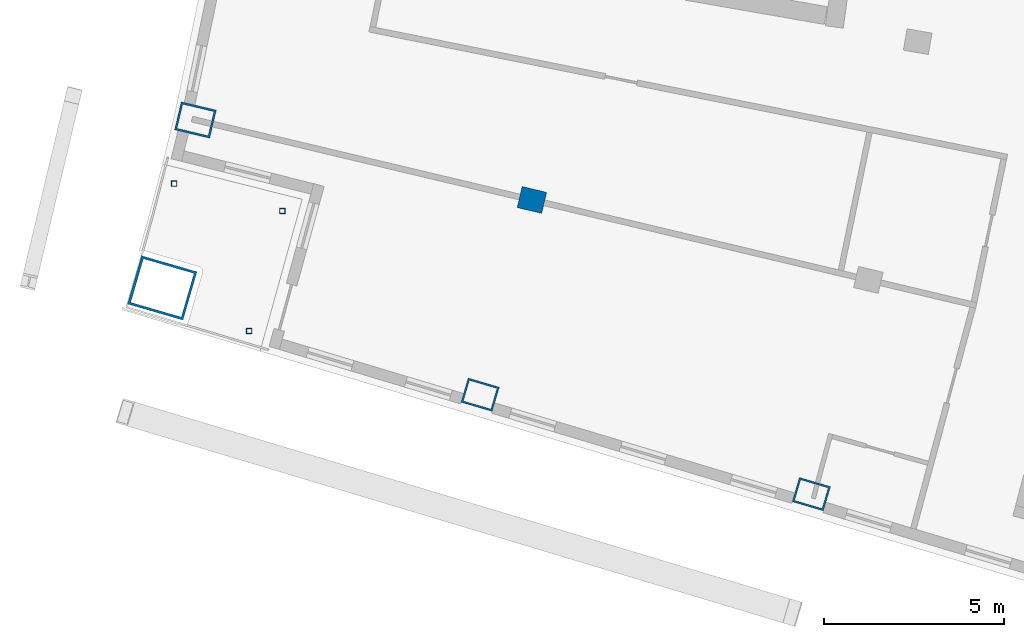
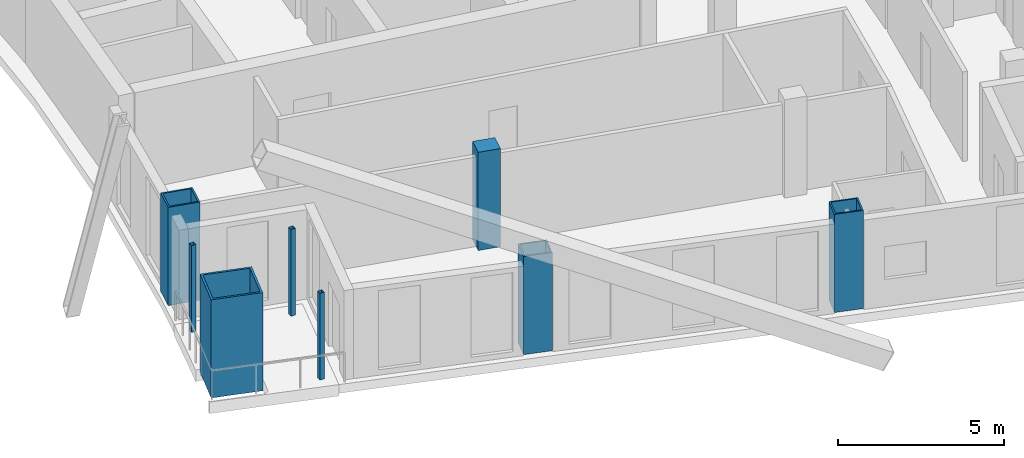
# One storey, part 1 of 17: 8 columns.
"""IFC4 building model written with IfcOpenShell, lengths in metres."""

from ifc_helpers import new_model, si_unit, direction, frame, origin, origin_2d, place, context, subcontext, project, spatial, rectangle, hollow_rectangle, extrude, material, material_profile, profile_set, type_object, element, save


model = new_model("IFC4")

# Units and contexts
model_context = context("Model", 3, precision=1e-05, world=origin(), true_north=direction((0.0, 1.0)))
body_context = subcontext(model_context, "Body", "Model", "MODEL_VIEW")
ifc_project = project(units=[si_unit("LENGTHUNIT", "METRE"), si_unit("AREAUNIT", "SQUARE_METRE"), si_unit("VOLUMEUNIT", "CUBIC_METRE"), si_unit("PLANEANGLEUNIT", "RADIAN"), si_unit("MASSUNIT", "GRAM", prefix="KILO")], contexts=[model_context])

# Site, building, storey
site_placement = place(None, origin())
site = spatial("IfcSite", under=ifc_project, at=site_placement, CompositionType="ELEMENT")
building_placement = place(site_placement, origin())
building = spatial("IfcBuilding", under=site, at=building_placement, Name="Alderwake Tower", CompositionType="ELEMENT")
storey_placement = place(building_placement, frame((0.0, 0.0, 256.39990234375)))
storey = spatial("IfcBuildingStorey", under=building, at=storey_placement, Name="L63", CompositionType="ELEMENT", Elevation=256.39990234375)

# Columns
ifc_material_1 = material(Name="Steel ASTM A572 Grade 50 concrete filled C70/85", Category="concrete")
ifc_material_profile_1 = material_profile(ifc_material_1, hollow_rectangle(XDim=0.699951171875, YDim=0.89990234375, WallThickness=0.050048828125, at=origin_2d()), Name="BOX 900X700X50")
ifc_profile_set_1 = profile_set([ifc_material_profile_1], Name="Steel ASTM A572 Grade 50 concrete filled C70/85")
column_type_1 = type_object("IfcColumnType", Name="End column Z5", PredefinedType="COLUMN", material=ifc_profile_set_1)
for number, where, z_axis, x_axis, name in (
    (1, (21.885498046875, 31.03759765625, 0.0), (0.0, 0.0, 1.0), (0.282132160283, 0.95937554906, 0.0), "Column R02-C1"),
    (2, (31.080322265625, 28.27685546875, 0.0), (0.0, 0.0, 1.0), (0.282582549822, 0.959242984095, 0.0), "Column R02-C2"),
):
    element("IfcColumn", number, at=place(storey_placement, frame(where, z_axis=z_axis, x_axis=x_axis)), inside=storey, type_object=column_type_1, Name=name, PredefinedType="COLUMN", context=body_context, shape_type="SweptSolid", body=[
        extrude(hollow_rectangle(XDim=0.699951171875, YDim=0.89990234375, WallThickness=0.050048828125, at=origin_2d()), origin(), (0.0, 0.0, 1.0), 3.60009765625),
    ])
ifc_material_2 = material(Name="Concrete C70/85", Category="concrete")
ifc_material_profile_2 = material_profile(ifc_material_2, rectangle(XDim=0.60009765625, YDim=0.699951171875, at=origin_2d()), Name="RC 700X600")
ifc_profile_set_2 = profile_set([ifc_material_profile_2], Name="Concrete C70/85")
column_type_2 = type_object("IfcColumnType", Name="Interior column Z5", PredefinedType="COLUMN", material=ifc_profile_set_2)
column_1_placement = place(storey_placement, frame((23.322021484375, 36.444091796875, 0.0), z_axis=(0.0, 0.0, 1.0), x_axis=(0.231221547198, 0.972901123502, 0.0)))
element("IfcColumn", 3, at=column_1_placement, inside=storey, type_object=column_type_2, Name="Column R03-C1", PredefinedType="COLUMN", context=body_context, shape_type="SweptSolid", body=[
    extrude(rectangle(XDim=0.60009765625, YDim=0.699951171875, at=origin_2d()), origin(), (0.0, 0.0, 1.0), 3.60009765625),
])
ifc_material_3 = material(Name="Steel ASTM A500 Grade C", Category="steel")
ifc_material_profile_3 = material_profile(ifc_material_3, hollow_rectangle(XDim=0.15234375, YDim=0.15234375, WallThickness=0.0087890625, at=origin_2d()), Name="HSS6X6X3/8")
ifc_profile_set_3 = profile_set([ifc_material_profile_3], Name="Steel ASTM A500 Grade C")
column_type_3 = type_object("IfcColumnType", Name="Light post HSS6X6X3/8", PredefinedType="COLUMN", material=ifc_profile_set_3)
for number, where, z_axis, x_axis, name in (
    (4, (13.3896484375, 36.896484375, 0.0), (0.0, 0.0, 1.0), (1.0, 0.0, 0.0), "Terrace post RS1"),
    (5, (15.47412109375, 32.805908203125, 0.0), (0.0, 0.0, 1.0), (1.0, 0.0, 0.0), "Terrace post RS2"),
    (6, (16.39501953125, 36.135986328125, 0.0), (0.0, 0.0, 1.0), (1.0, 0.0, 0.0), "Terrace post RS3"),
):
    element("IfcColumn", number, at=place(storey_placement, frame(where, z_axis=z_axis, x_axis=x_axis)), inside=storey, type_object=column_type_3, Name=name, PredefinedType="COLUMN", context=body_context, shape_type="SweptSolid", body=[
        extrude(hollow_rectangle(XDim=0.15234375, YDim=0.15234375, WallThickness=0.0087890625, at=origin_2d()), origin(), (0.0, 0.0, 1.0), 3.18017578125),
    ])
ifc_material_4 = material(Name="Steel ASTM A572 Grade 50 concrete filled C70/85", Category="concrete")
ifc_material_profile_4 = material_profile(ifc_material_4, hollow_rectangle(XDim=1.39990234375, YDim=1.60009765625, WallThickness=0.070068359375, at=origin_2d()), Name="BOX 1600X1400X70")
ifc_profile_set_4 = profile_set([ifc_material_profile_4], Name="Steel ASTM A572 Grade 50 concrete filled C70/85")
column_type_4 = type_object("IfcColumnType", Name="Mega column Z5", PredefinedType="COLUMN", material=ifc_profile_set_4)
column_2_placement = place(storey_placement, frame((13.06298828125, 34.00244140625, 0.0), z_axis=(0.0, 0.0, 1.0), x_axis=(0.278612301868, 0.960403657452, 0.0)))
element("IfcColumn", 7, at=column_2_placement, inside=storey, type_object=column_type_4, Name="Column R02-C0", PredefinedType="COLUMN", context=body_context, shape_type="SweptSolid", body=[
    extrude(hollow_rectangle(XDim=1.39990234375, YDim=1.60009765625, WallThickness=0.070068359375, at=origin_2d()), origin(), (0.0, 0.0, 1.0), 3.60009765625),
])
ifc_material_5 = material(Name="Steel ASTM A572 Grade 50 concrete filled C70/85", Category="concrete")
ifc_material_profile_5 = material_profile(ifc_material_5, hollow_rectangle(XDim=0.800048828125, YDim=1.0, WallThickness=0.054931640625, at=origin_2d()), Name="BOX 1000X800X55")
ifc_profile_set_5 = profile_set([ifc_material_profile_5], Name="Steel ASTM A572 Grade 50 concrete filled C70/85")
column_type_5 = type_object("IfcColumnType", Name="Perimeter column Z5", PredefinedType="COLUMN", material=ifc_profile_set_5)
column_3_placement = place(storey_placement, frame((13.982177734375, 38.6640625, 0.0), z_axis=(0.0, 0.0, 1.0), x_axis=(0.231221547198, 0.972901123502, 0.0)))
element("IfcColumn", 8, at=column_3_placement, inside=storey, type_object=column_type_5, Name="Column R03-C0", PredefinedType="COLUMN", context=body_context, shape_type="SweptSolid", body=[
    extrude(hollow_rectangle(XDim=0.800048828125, YDim=1.0, WallThickness=0.054931640625, at=origin_2d()), origin(), (0.0, 0.0, 1.0), 3.60009765625),
])

save(model, "model.ifc")
